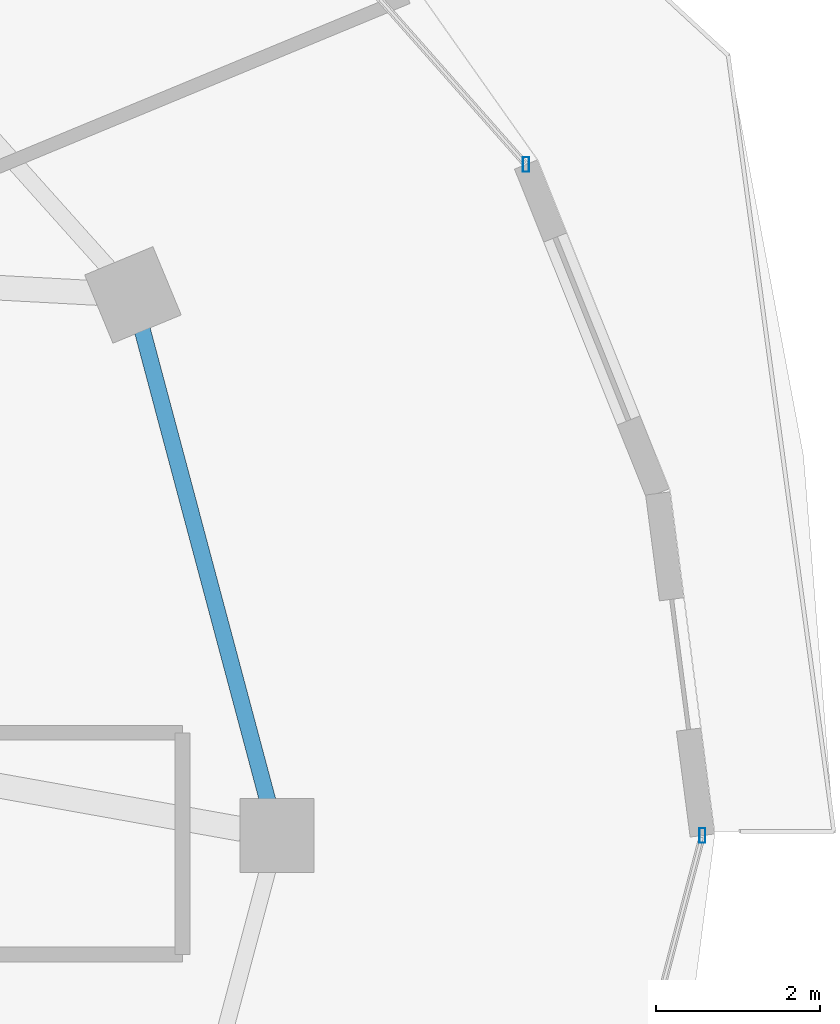
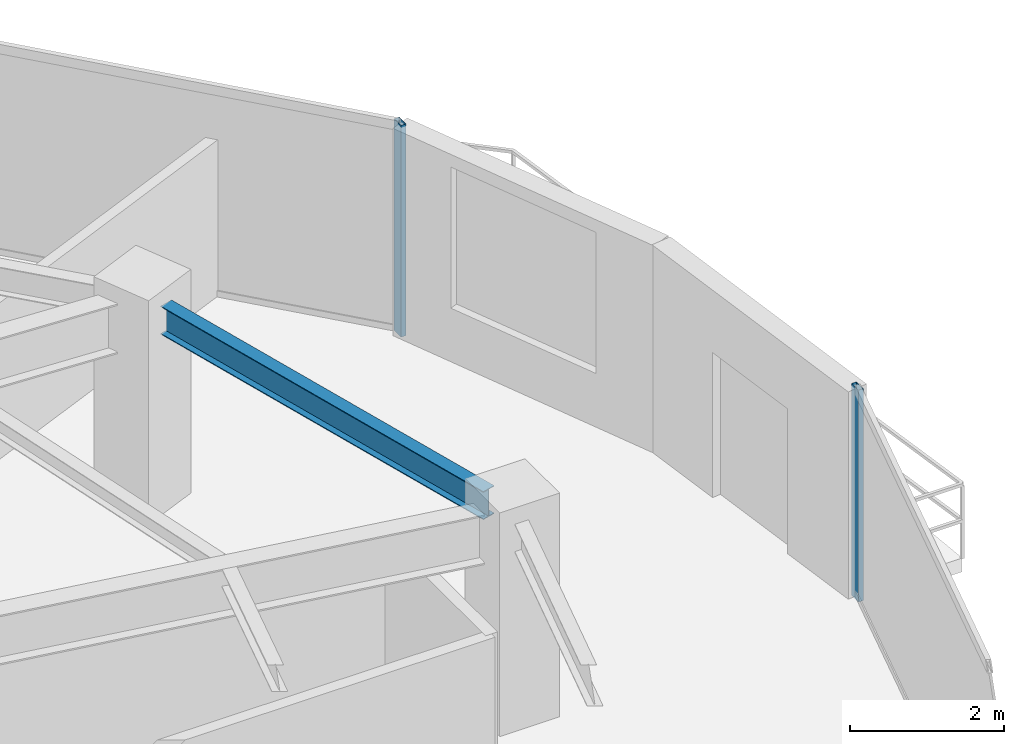
# One storey, part 15 of 33: 2 members, 1 beam, 2 elements without a shape of their own.
"""IFC4 building model written with IfcOpenShell, lengths in metres."""

from ifc_helpers import new_model, si_unit, direction, frame, origin, origin_2d, place, context, subcontext, project, spatial, hollow_rectangle, i_section, extrude, material, material_profile, profile_set, type_object, element, aggregate, save


model = new_model("IFC4")

# Units and contexts
model_context = context("Model", 3, precision=1e-05, world=origin(), true_north=direction((0.0, 1.0)))
body_context = subcontext(model_context, "Body", "Model", "MODEL_VIEW")
ifc_project = project(units=[si_unit("LENGTHUNIT", "METRE"), si_unit("AREAUNIT", "SQUARE_METRE"), si_unit("VOLUMEUNIT", "CUBIC_METRE"), si_unit("PLANEANGLEUNIT", "RADIAN"), si_unit("MASSUNIT", "GRAM", prefix="KILO")], contexts=[model_context])

# Site, building, storey
site_placement = place(None, origin())
site = spatial("IfcSite", under=ifc_project, at=site_placement, CompositionType="ELEMENT")
building_placement = place(site_placement, origin())
building = spatial("IfcBuilding", under=site, at=building_placement, Name="Vorneva Point Tower", CompositionType="ELEMENT")
storey_placement = place(building_placement, frame((0.0, 0.0, 217.85009765625)))
storey = spatial("IfcBuildingStorey", under=building, at=storey_placement, Name="L59", CompositionType="ELEMENT", Elevation=217.85009765625)

# Beam
ifc_material_1 = material(Name="Steel S355", Category="steel")
ifc_material_profile_1 = material_profile(ifc_material_1, i_section(OverallWidth=0.198974609375, OverallDepth=0.446044921875, WebThickness=0.008056640625, FlangeThickness=0.011962890625, at=origin_2d()), Name="45B1")
ifc_profile_set_1 = profile_set([ifc_material_profile_1], Name="Steel S355")
beam_type = type_object("IfcBeamType", Name="BM-SPN-45B1", PredefinedType="SPANDREL", material=ifc_profile_set_1)
beam_placement = place(storey_placement, frame((60.93798828125, 26.42041015625, 3.06689453125), z_axis=(-0.257578258003, 0.966257440336, 0.0), x_axis=(-0.966257440336, -0.257578258003, 0.0)))
element("IfcBeam", 1, at=beam_placement, inside=storey, type_object=beam_type, Name="L59 Perimeter Spandrel Ring Beam 01", PredefinedType="SPANDREL", context=body_context, shape_type="SweptSolid", body=[
    extrude(i_section(OverallWidth=0.198974609375, OverallDepth=0.446044921875, WebThickness=0.008056640625, FlangeThickness=0.011962890625, at=origin_2d()), origin(), (0.0, 0.0, 1.0), 5.94189453125),
])

# Curtain wall, member
ifc_material_2 = material(Name="Pale anodised aluminium", Category="aluminium")
curtain_wall_type = type_object("IfcCurtainWallType", Name="CW-RES-SYS", PredefinedType="NOTDEFINED", material=ifc_material_2)
curtain_wall_1_placement = place(storey_placement, origin())
curtain_wall_1 = element("IfcCurtainWall", 2, at=curtain_wall_1_placement, inside=storey, type_object=curtain_wall_type, Name="L59 Unitised Curtain Wall CW-L59-R01", PredefinedType="NOTDEFINED")
ifc_material_profile_2 = material_profile(ifc_material_2, hollow_rectangle(XDim=0.074951171875, YDim=0.179931640625, WallThickness=0.00390625, at=origin_2d()), Name="AL-MUL 180x75x4")
ifc_profile_set_2 = profile_set([ifc_material_profile_2], Name="Pale anodised aluminium")
member_type = type_object("IfcMemberType", Name="CW-MUL-180", PredefinedType="MULLION", material=ifc_profile_set_2)
member_1_placement = place(storey_placement, frame((64.0810546875, 34.17041015625, -0.0400390625), z_axis=(0.0, 0.0, 1.0), x_axis=(1.0, 0.0, 0.0)))
member_1 = element("IfcMember", 3, at=member_1_placement, type_object=member_type, Name="CW-L59-R01 Mullion 01", PredefinedType="MULLION", context=body_context, shape_type="SweptSolid", body=[
    extrude(hollow_rectangle(XDim=0.074951171875, YDim=0.179931640625, WallThickness=0.00390625, at=origin_2d()), origin(), (0.0, 0.0, 1.0), 3.35986328125),
])
aggregate(curtain_wall_1, [member_1])

curtain_wall_2_placement = place(storey_placement, origin())
curtain_wall_2 = element("IfcCurtainWall", 4, at=curtain_wall_2_placement, inside=storey, type_object=curtain_wall_type, Name="L59 Unitised Curtain Wall CW-L59-R04", PredefinedType="NOTDEFINED")
member_2_placement = place(storey_placement, frame((66.22998046875, 26.0, -0.0400390625), z_axis=(0.0, 0.0, 1.0), x_axis=(1.0, 0.0, 0.0)))
member_2 = element("IfcMember", 5, at=member_2_placement, type_object=member_type, Name="CW-L59-R04 Mullion 03", PredefinedType="MULLION", context=body_context, shape_type="SweptSolid", body=[
    extrude(hollow_rectangle(XDim=0.074951171875, YDim=0.179931640625, WallThickness=0.00390625, at=origin_2d()), origin(), (0.0, 0.0, 1.0), 3.35986328125),
])
aggregate(curtain_wall_2, [member_2])

save(model, "model.ifc")
